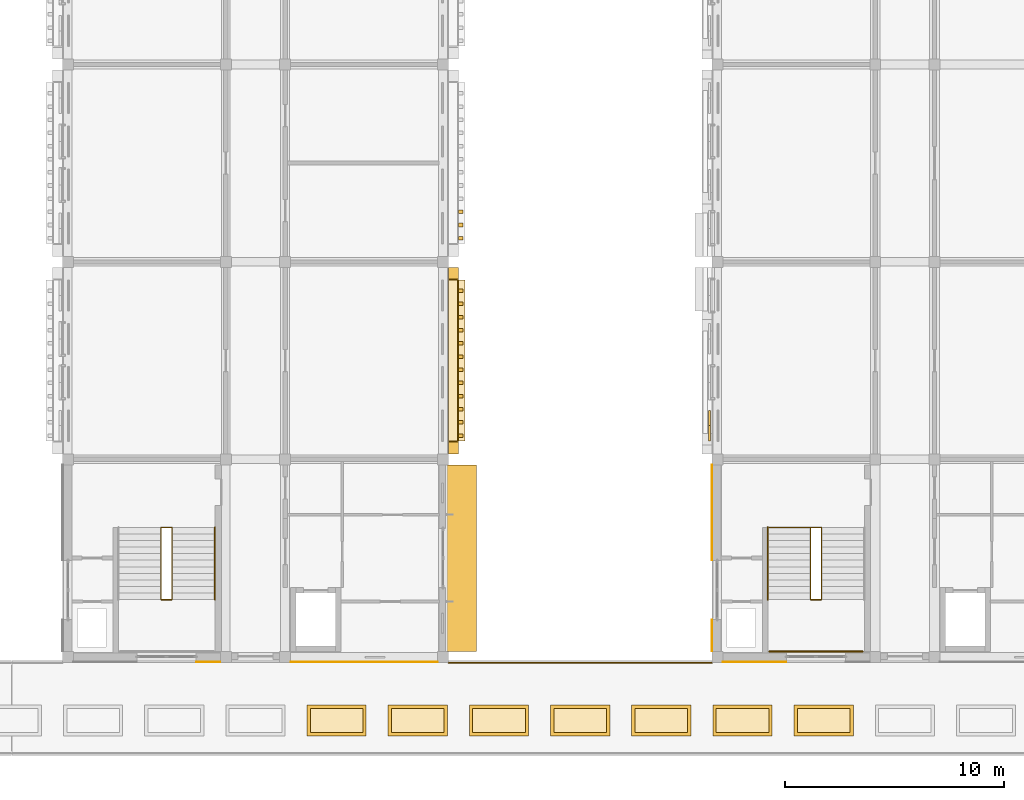
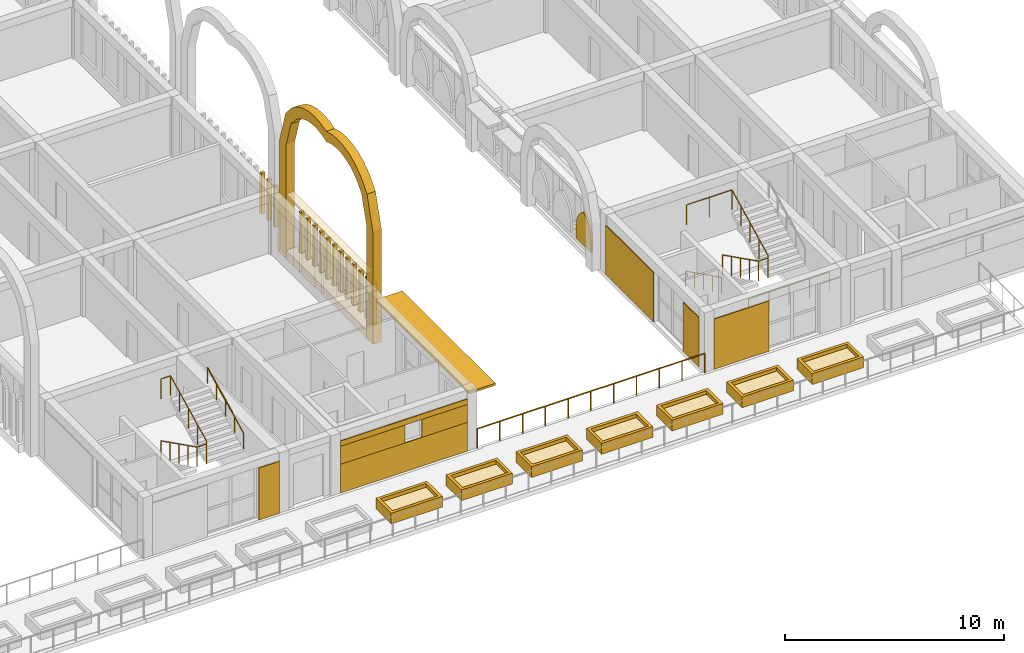
# One storey, part 79 of 82: 40 coverings, 6 railings, 2 shading devices.
"""IFC4 building model written with IfcOpenShell, lengths in metres."""

from ifc_helpers import new_model, si_unit, direction, frame, origin, origin_2d, place, context, subcontext, project, spatial, polyline, rectangle, circle, outline, extrude, material, layer, layer_set, type_object, element, save


model = new_model("IFC4")

# Units and contexts
model_context = context("Model", 3, precision=1e-05, world=origin(), true_north=direction((0.0, 1.0)))
body_context = subcontext(model_context, "Body", "Model", "MODEL_VIEW")
ifc_project = project(units=[si_unit("LENGTHUNIT", "METRE"), si_unit("AREAUNIT", "SQUARE_METRE"), si_unit("VOLUMEUNIT", "CUBIC_METRE"), si_unit("PLANEANGLEUNIT", "RADIAN"), si_unit("MASSUNIT", "GRAM", prefix="KILO")], contexts=[model_context])

# Site, building, storey
site_placement = place(None, origin())
site = spatial("IfcSite", under=ifc_project, at=site_placement, CompositionType="ELEMENT")
building_placement = place(site_placement, origin())
building = spatial("IfcBuilding", under=site, at=building_placement, Name="Elbe Cascade School", CompositionType="ELEMENT")
storey_placement = place(building_placement, frame((0.0, 0.0, 4.5)))
storey = spatial("IfcBuildingStorey", under=building, at=storey_placement, Name="L01", CompositionType="ELEMENT", Elevation=4.5)

# Railings
ifc_material_1 = material(Name="Steel S355J2H, painted", Category="steel")
railing_type_1 = type_object("IfcRailingType", Name="Bar stair guard 1100", PredefinedType="GUARDRAIL", material=ifc_material_1)
railing_1_placement = place(storey_placement, frame((132.449951171875, 11.89990234375, 0.14990234375)))
element("IfcRailing", 1, at=railing_1_placement, inside=storey, type_object=railing_type_1, Name="Stair guard C1.S", PredefinedType="GUARDRAIL", context=body_context, shape_type="SweptSolid", body=[
    extrude(circle(Radius=0.02392578125, at=origin_2d()), frame((0.0, 0.0, 1.09619140625), z_axis=(0.0, -0.894400720042, 0.447266533499), x_axis=(1.0, 0.0, 0.0)), (0.0, 0.0, 1.0), 3.689453125),
    extrude(circle(Radius=0.02392578125, at=origin_2d()), frame((0.0, -3.2998046875, 2.74609375), z_axis=(1.0, 0.0, 0.0), x_axis=(0.0, 1.0, 0.0)), (0.0, 0.0, 1.0), 0.5),
    extrude(circle(Radius=0.02392578125, at=origin_2d()), frame((0.5, -3.2998046875, 2.74609375), z_axis=(0.0, 0.0, 1.0), x_axis=(1.0, 0.0, 0.0)), (0.0, 0.0, 1.0), 0.14990234375),
    extrude(circle(Radius=0.02392578125, at=origin_2d()), frame((0.5, -3.2998046875, 2.89599609375), z_axis=(0.0, 0.894400720042, 0.447266533499), x_axis=(-1.0, 0.0, 0.0)), (0.0, 0.0, 1.0), 3.689453125),
    extrude(circle(Radius=0.02392578125, at=origin_2d()), frame((0.5, 0.0, 4.54638671875), z_axis=(-1.0, 0.0, 0.0), x_axis=(0.0, -1.0, 0.0)), (0.0, 0.0, 1.0), 0.5),
    extrude(circle(Radius=0.02099609375, at=origin_2d()), origin(), (0.0, 0.0, 1.0), 1.072021484375),
    extrude(circle(Radius=0.02099609375, at=origin_2d()), frame((0.0, -0.824951171875, 0.41259765625)), (0.0, 0.0, 1.0), 1.072021484375),
    extrude(circle(Radius=0.02099609375, at=origin_2d()), frame((0.0, -1.64990234375, 0.8251953125)), (0.0, 0.0, 1.0), 1.072021484375),
    extrude(circle(Radius=0.02099609375, at=origin_2d()), frame((0.0, -2.474853515625, 1.237548828125)), (0.0, 0.0, 1.0), 1.072021484375),
    extrude(circle(Radius=0.02099609375, at=origin_2d()), frame((0.0, -3.2998046875, 1.650146484375)), (0.0, 0.0, 1.0), 1.072021484375),
    extrude(circle(Radius=0.02099609375, at=origin_2d()), frame((0.5, -3.2998046875, 1.650146484375)), (0.0, 0.0, 1.0), 1.072021484375),
    extrude(circle(Radius=0.02099609375, at=origin_2d()), frame((0.5, -3.2998046875, 1.800048828125)), (0.0, 0.0, 1.0), 1.072021484375),
    extrude(circle(Radius=0.02099609375, at=origin_2d()), frame((0.5, -2.474853515625, 2.212646484375)), (0.0, 0.0, 1.0), 1.072021484375),
    extrude(circle(Radius=0.02099609375, at=origin_2d()), frame((0.5, -1.64990234375, 2.625)), (0.0, 0.0, 1.0), 1.072021484375),
    extrude(circle(Radius=0.02099609375, at=origin_2d()), frame((0.5, -0.824951171875, 3.03759765625)), (0.0, 0.0, 1.0), 1.072021484375),
    extrude(circle(Radius=0.02099609375, at=origin_2d()), frame((0.5, 0.0, 3.4501953125)), (0.0, 0.0, 1.0), 1.072021484375),
    extrude(circle(Radius=0.02099609375, at=origin_2d()), frame((0.0, 0.0, 3.4501953125)), (0.0, 0.0, 1.0), 1.072021484375),
])
railing_2_placement = place(storey_placement, frame((162.050048828125, 11.89990234375, 0.14990234375)))
element("IfcRailing", 2, at=railing_2_placement, inside=storey, type_object=railing_type_1, Name="Stair guard D1.S", PredefinedType="GUARDRAIL", context=body_context, shape_type="SweptSolid", body=[
    extrude(circle(Radius=0.02392578125, at=origin_2d()), frame((0.0, 0.0, 1.09619140625), z_axis=(0.0, -0.894400720042, 0.447266533499), x_axis=(1.0, 0.0, 0.0)), (0.0, 0.0, 1.0), 3.689453125),
    extrude(circle(Radius=0.02392578125, at=origin_2d()), frame((0.0, -3.2998046875, 2.74609375), z_axis=(1.0, 0.0, 0.0), x_axis=(0.0, 1.0, 0.0)), (0.0, 0.0, 1.0), 0.5),
    extrude(circle(Radius=0.02392578125, at=origin_2d()), frame((0.5, -3.2998046875, 2.74609375), z_axis=(0.0, 0.0, 1.0), x_axis=(1.0, 0.0, 0.0)), (0.0, 0.0, 1.0), 0.14990234375),
    extrude(circle(Radius=0.02392578125, at=origin_2d()), frame((0.5, -3.2998046875, 2.89599609375), z_axis=(0.0, 0.894400720042, 0.447266533499), x_axis=(-1.0, 0.0, 0.0)), (0.0, 0.0, 1.0), 3.689453125),
    extrude(circle(Radius=0.02392578125, at=origin_2d()), frame((0.5, 0.0, 4.54638671875), z_axis=(-1.0, 0.0, 0.0), x_axis=(0.0, -1.0, 0.0)), (0.0, 0.0, 1.0), 2.39013671875),
    extrude(circle(Radius=0.02099609375, at=origin_2d()), origin(), (0.0, 0.0, 1.0), 1.072021484375),
    extrude(circle(Radius=0.02099609375, at=origin_2d()), frame((0.0, -0.824951171875, 0.41259765625)), (0.0, 0.0, 1.0), 1.072021484375),
    extrude(circle(Radius=0.02099609375, at=origin_2d()), frame((0.0, -1.64990234375, 0.8251953125)), (0.0, 0.0, 1.0), 1.072021484375),
    extrude(circle(Radius=0.02099609375, at=origin_2d()), frame((0.0, -2.474853515625, 1.237548828125)), (0.0, 0.0, 1.0), 1.072021484375),
    extrude(circle(Radius=0.02099609375, at=origin_2d()), frame((0.0, -3.2998046875, 1.650146484375)), (0.0, 0.0, 1.0), 1.072021484375),
    extrude(circle(Radius=0.02099609375, at=origin_2d()), frame((0.5, -3.2998046875, 1.650146484375)), (0.0, 0.0, 1.0), 1.072021484375),
    extrude(circle(Radius=0.02099609375, at=origin_2d()), frame((0.5, -3.2998046875, 1.800048828125)), (0.0, 0.0, 1.0), 1.072021484375),
    extrude(circle(Radius=0.02099609375, at=origin_2d()), frame((0.5, -2.474853515625, 2.212646484375)), (0.0, 0.0, 1.0), 1.072021484375),
    extrude(circle(Radius=0.02099609375, at=origin_2d()), frame((0.5, -1.64990234375, 2.625)), (0.0, 0.0, 1.0), 1.072021484375),
    extrude(circle(Radius=0.02099609375, at=origin_2d()), frame((0.5, -0.824951171875, 3.03759765625)), (0.0, 0.0, 1.0), 1.072021484375),
    extrude(circle(Radius=0.02099609375, at=origin_2d()), frame((0.5, 0.0, 3.4501953125)), (0.0, 0.0, 1.0), 1.072021484375),
    extrude(circle(Radius=0.02099609375, at=origin_2d()), frame((-0.695068359375, 0.0, 3.4501953125)), (0.0, 0.0, 1.0), 1.072021484375),
    extrude(circle(Radius=0.02099609375, at=origin_2d()), frame((-1.89013671875, 0.0, 3.4501953125)), (0.0, 0.0, 1.0), 1.072021484375),
])
railing_3_placement = place(storey_placement, frame((160.159912109375, 6.239990234375, 1.800048828125)))
element("IfcRailing", 3, at=railing_3_placement, inside=storey, type_object=railing_type_1, Name="Stair guard D1.S", PredefinedType="GUARDRAIL", context=body_context, shape_type="SweptSolid", body=[
    extrude(circle(Radius=0.02392578125, at=origin_2d()), frame((0.0, 0.0, 1.09619140625), z_axis=(1.0, 0.0, 0.0), x_axis=(0.0, 1.0, 0.0)), (0.0, 0.0, 1.0), 4.280029296875),
    extrude(circle(Radius=0.02099609375, at=origin_2d()), origin(), (0.0, 0.0, 1.0), 1.072021484375),
    extrude(circle(Radius=0.02099609375, at=origin_2d()), frame((1.070068359375, 0.0, 0.0)), (0.0, 0.0, 1.0), 1.072021484375),
    extrude(circle(Radius=0.02099609375, at=origin_2d()), frame((2.14013671875, 0.0, 0.0)), (0.0, 0.0, 1.0), 1.072021484375),
    extrude(circle(Radius=0.02099609375, at=origin_2d()), frame((3.2099609375, 0.0, 0.0)), (0.0, 0.0, 1.0), 1.072021484375),
    extrude(circle(Radius=0.02099609375, at=origin_2d()), frame((4.280029296875, 0.0, 0.0)), (0.0, 0.0, 1.0), 1.072021484375),
])
ifc_material_2 = material(Name="Steel S355J2H, painted", Category="steel")
railing_type_2 = type_object("IfcRailingType", Name="Bar stair handrail 900", PredefinedType="HANDRAIL", material=ifc_material_2)
railing_4_placement = place(storey_placement, frame((134.89990234375, 8.60009765625, 1.949951171875)))
element("IfcRailing", 4, at=railing_4_placement, inside=storey, type_object=railing_type_2, Name="Stair handrail C1.S", PredefinedType="HANDRAIL", context=body_context, shape_type="SweptSolid", body=[
    extrude(circle(Radius=0.02392578125, at=origin_2d()), frame((0.0, 0.0, 0.8759765625), z_axis=(0.0, 0.894400720042, 0.447266533499), x_axis=(-1.0, 0.0, 0.0)), (0.0, 0.0, 1.0), 3.689453125),
    extrude(circle(Radius=0.02099609375, at=origin_2d()), origin(), (0.0, 0.0, 1.0), 0.851806640625),
    extrude(circle(Radius=0.02099609375, at=origin_2d()), frame((0.0, 0.824951171875, 0.41259765625)), (0.0, 0.0, 1.0), 0.851806640625),
    extrude(circle(Radius=0.02099609375, at=origin_2d()), frame((0.0, 1.64990234375, 0.8251953125)), (0.0, 0.0, 1.0), 0.851806640625),
    extrude(circle(Radius=0.02099609375, at=origin_2d()), frame((0.0, 2.474853515625, 1.237548828125)), (0.0, 0.0, 1.0), 0.851806640625),
    extrude(circle(Radius=0.02099609375, at=origin_2d()), frame((0.0, 3.2998046875, 1.650146484375)), (0.0, 0.0, 1.0), 0.851806640625),
])
railing_5_placement = place(storey_placement, frame((160.10009765625, 11.89990234375, 0.14990234375)))
element("IfcRailing", 5, at=railing_5_placement, inside=storey, type_object=railing_type_2, Name="Stair handrail D1.S", PredefinedType="HANDRAIL", context=body_context, shape_type="SweptSolid", body=[
    extrude(circle(Radius=0.02392578125, at=origin_2d()), frame((0.0, 0.0, 0.8759765625), z_axis=(0.0, -0.894400720042, 0.447266533499), x_axis=(1.0, 0.0, 0.0)), (0.0, 0.0, 1.0), 3.689453125),
    extrude(circle(Radius=0.02099609375, at=origin_2d()), origin(), (0.0, 0.0, 1.0), 0.851806640625),
    extrude(circle(Radius=0.02099609375, at=origin_2d()), frame((0.0, -0.824951171875, 0.41259765625)), (0.0, 0.0, 1.0), 0.851806640625),
    extrude(circle(Radius=0.02099609375, at=origin_2d()), frame((0.0, -1.64990234375, 0.8251953125)), (0.0, 0.0, 1.0), 0.851806640625),
    extrude(circle(Radius=0.02099609375, at=origin_2d()), frame((0.0, -2.474853515625, 1.237548828125)), (0.0, 0.0, 1.0), 0.851806640625),
    extrude(circle(Radius=0.02099609375, at=origin_2d()), frame((0.0, -3.2998046875, 1.650146484375)), (0.0, 0.0, 1.0), 0.851806640625),
])

# Shading devices
ifc_material_3 = material(Name="Precast concrete C30/37", Category="concrete")
ifc_layer_1 = layer(ifc_material_3, 0.1201171875)
ifc_layer_set_1 = layer_set([ifc_layer_1], Name="Precast concrete C30/37")
shading_device_type_1 = type_object("IfcShadingDeviceType", Name="Bars envelope Chhajja eave, precast concrete, 1400 x 120", PredefinedType="USERDEFINED", material=ifc_layer_set_1)
shading_device_1_placement = place(storey_placement, frame((146.1201171875, 10.5, 2.72998046875), z_axis=(0.0, 0.0, 1.0), x_axis=(0.0, 1.0, 0.0)))
element("IfcShadingDevice", 6, at=shading_device_1_placement, inside=storey, type_object=shading_device_type_1, Name="Chhajja eave SD8 C.L01.e1", ObjectType="CHHAJJA", PredefinedType="USERDEFINED", context=body_context, shape_type="SweptSolid", body=[
    extrude(rectangle(XDim=8.5, YDim=1.39990234375, at=origin_2d()), origin(), (0.0, 0.0, 1.0), 0.1201171875),
])
ifc_material_4 = material(Name="Precast concrete C40/50", Category="concrete")
ifc_layer_2 = layer(ifc_material_4, 0.10009765625)
ifc_layer_set_2 = layer_set([ifc_layer_2], Name="Precast concrete C40/50")
shading_device_type_2 = type_object("IfcShadingDeviceType", Name="Bars envelope Jali screen 1400 x 1840, pointed arch rise 1200, pierced precast concrete", PredefinedType="USERDEFINED", material=ifc_layer_set_2)
shading_device_2_placement = place(storey_placement, frame((157.39990234375, 15.830078125, 1.239990234375), z_axis=(-1.0, 0.0, 0.0), x_axis=(0.0, 0.17792317593, 0.984044380842)))
element("IfcShadingDevice", 7, at=shading_device_2_placement, inside=storey, type_object=shading_device_type_2, Name="Jali screen SD6 D.L01.w2.1", ObjectType="JALI", PredefinedType="USERDEFINED", context=body_context, shape_type="SweptSolid", body=[
    extrude(outline(polyline([(0.0, 0.0), (0.49123641871346896, 0.0), (0.6924968687559299, 0.05242999837586913), (0.8431090177286255, 0.11426571806572286), (0.9655690388364628, 0.18094347076411482), (1.0690931266165173, 0.25129309242718334), (1.1586395539315395, 0.3239218888517511), (1.2366542111585679, 0.39863572249424895), (1.305342743464475, 0.47528389408648153), (1.2677994546013998, 0.5708915381836547), (1.2209300408172035, 0.6684335202305626), (1.1624854186696398, 0.7678202942852341), (1.090106574332417, 0.8697264883115714), (0.9987917966674117, 0.9753045513025852), (0.879324891137548, 1.0857246473021371), (0.7092096845379191, 1.2055504646156736), (0.24907507099190854, 1.377566035094913), (-0.38060762485458033, 1.491417754848975), (-0.6296826958464888, 0.11385171975406214), (0.0, 0.0)])), origin(), (0.0, 0.0, -1.0), 0.10009765625),
])

# Coverings
ifc_material_5 = material(Name="Sandstone - red", Category="masonry")
covering_type_1 = type_object("IfcCoveringType", Name="Bars envelope Sandstone arch frame single, 8500 wide, 450 deep", PredefinedType="CLADDING", material=ifc_material_5)
covering_1_placement = place(storey_placement, frame((146.0, 15.830078125, 0.0), z_axis=(1.0, 0.0, 0.0), x_axis=(0.0, 0.0, 1.0)))
element("IfcCovering", 8, at=covering_1_placement, inside=storey, type_object=covering_type_1, Name="Arch frame CV52 C.L01.e2", PredefinedType="CLADDING", context=body_context, shape_type="SweptSolid", body=[
    extrude(outline(polyline([(0.0, 0.0), (6.300048828125, 0.0), (7.784912109375, -0.458740234375), (8.29736328125, -0.91748046875), (8.613525390625, -1.376220703125), (8.80908203125, -1.8349609375), (8.910888671875, -2.293701171875), (8.93017578125, -2.75244140625), (8.86865234375, -3.211181640625), (8.719970703125, -3.669921875), (8.86865234375, -4.128662109375), (8.93017578125, -4.58740234375), (8.910888671875, -5.046142578125), (8.80908203125, -5.5048828125), (8.613525390625, -5.963623046875), (8.29736328125, -6.42236328125), (7.784912109375, -6.881103515625), (6.300048828125, -7.33984375), (0.0, -7.33984375), (0.0, -7.919921875), (6.300048828125, -7.919921875), (8.060791015625, -7.388671875), (8.67431640625, -6.857421875), (9.058349609375, -6.326171875), (9.302490234375, -5.794921875), (9.439697265625, -5.263671875), (9.48388671875, -4.732421875), (9.438720703125, -4.201171875), (9.300048828125, -3.669921875), (9.438720703125, -3.138671875), (9.48388671875, -2.607421875), (9.439697265625, -2.076171875), (9.302490234375, -1.544921875), (9.058349609375, -1.013671875), (8.67431640625, -0.482421875), (8.060791015625, 0.048828125), (6.300048828125, 0.580078125), (0.0, 0.580078125), (0.0, 0.0)])), origin(), (0.0, 0.0, -1.0), 0.449951171875),
])
ifc_material_6 = material(Name="Sandstone - red", Category="masonry")
ifc_layer_3 = layer(ifc_material_6, 0.0400390625)
ifc_layer_set_3 = layer_set([ifc_layer_3], Name="Sandstone - red")
covering_type_2 = type_object("IfcCoveringType", Name="Bars envelope Sandstone cladding, red, 40 mm", PredefinedType="CLADDING", material=ifc_layer_set_3)
covering_2_placement = place(storey_placement, frame((134.60009765625, 5.760009765625, 0.0), z_axis=(0.0, 0.0, 1.0), x_axis=(1.0, 0.0, 0.0)))
element("IfcCovering", 9, at=covering_2_placement, inside=storey, type_object=covering_type_2, Name="Sandstone cladding CV48 C.L01.s.1b.1", PredefinedType="CLADDING", context=body_context, shape_type="SweptSolid", body=[
    extrude(rectangle(XDim=1.10009765625, YDim=0.0400390625, at=origin_2d()), origin(), (0.0, 0.0, 1.0), 2.89990234375),
])
covering_3_placement = place(storey_placement, frame((141.699951171875, 5.760009765625, 0.0), z_axis=(0.0, 0.0, 1.0), x_axis=(1.0, 0.0, 0.0)))
element("IfcCovering", 10, at=covering_3_placement, inside=storey, type_object=covering_type_2, Name="Sandstone cladding CV48 C.L01.s.3.1", PredefinedType="CLADDING", context=body_context, shape_type="SweptSolid", body=[
    extrude(rectangle(XDim=6.699951171875, YDim=0.0400390625, at=origin_2d()), origin(), (0.0, 0.0, 1.0), 1.60009765625),
])
covering_4_placement = place(storey_placement, frame((140.050048828125, 5.760009765625, 1.60009765625), z_axis=(0.0, 0.0, 1.0), x_axis=(1.0, 0.0, 0.0)))
element("IfcCovering", 11, at=covering_4_placement, inside=storey, type_object=covering_type_2, Name="Sandstone cladding CV48 C.L01.s.3.2", PredefinedType="CLADDING", context=body_context, shape_type="SweptSolid", body=[
    extrude(rectangle(XDim=3.39990234375, YDim=0.0400390625, at=origin_2d()), origin(), (0.0, 0.0, 1.0), 1.0),
])
covering_5_placement = place(storey_placement, frame((143.85009765625, 5.760009765625, 1.60009765625), z_axis=(0.0, 0.0, 1.0), x_axis=(1.0, 0.0, 0.0)))
element("IfcCovering", 12, at=covering_5_placement, inside=storey, type_object=covering_type_2, Name="Sandstone cladding CV48 C.L01.s.3.3", PredefinedType="CLADDING", context=body_context, shape_type="SweptSolid", body=[
    extrude(rectangle(XDim=2.39990234375, YDim=0.0400390625, at=origin_2d()), origin(), (0.0, 0.0, 1.0), 1.0),
])
covering_6_placement = place(storey_placement, frame((141.699951171875, 5.760009765625, 2.60009765625), z_axis=(0.0, 0.0, 1.0), x_axis=(1.0, 0.0, 0.0)))
element("IfcCovering", 13, at=covering_6_placement, inside=storey, type_object=covering_type_2, Name="Sandstone cladding CV48 C.L01.s.3.4", PredefinedType="CLADDING", context=body_context, shape_type="SweptSolid", body=[
    extrude(rectangle(XDim=6.699951171875, YDim=0.0400390625, at=origin_2d()), origin(), (0.0, 0.0, 1.0), 0.300048828125),
])
covering_7_placement = place(storey_placement, frame((157.56005859375, 6.969970703125, 0.0), z_axis=(0.0, 0.0, 1.0), x_axis=(0.0, 1.0, 0.0)))
element("IfcCovering", 14, at=covering_7_placement, inside=storey, type_object=covering_type_2, Name="Sandstone cladding CV48 D.L01.w.1a.1", PredefinedType="CLADDING", context=body_context, shape_type="SweptSolid", body=[
    extrude(rectangle(XDim=1.43994140625, YDim=0.0400390625, at=origin_2d()), origin(), (0.0, 0.0, 1.0), 2.75),
])
covering_8_placement = place(storey_placement, frame((157.56005859375, 12.570068359375, 0.0), z_axis=(0.0, 0.0, 1.0), x_axis=(0.0, 1.0, 0.0)))
element("IfcCovering", 15, at=covering_8_placement, inside=storey, type_object=covering_type_2, Name="Sandstone cladding CV48 D.L01.w.1b.1", PredefinedType="CLADDING", context=body_context, shape_type="SweptSolid", body=[
    extrude(rectangle(XDim=4.360107421875, YDim=0.0400390625, at=origin_2d()), origin(), (0.0, 0.0, 1.0), 2.75),
])
covering_9_placement = place(storey_placement, frame((159.5, 5.760009765625, 0.0), z_axis=(0.0, 0.0, 1.0), x_axis=(1.0, 0.0, 0.0)))
element("IfcCovering", 16, at=covering_9_placement, inside=storey, type_object=covering_type_2, Name="Sandstone cladding CV48 D.L01.s.1a.1", PredefinedType="CLADDING", context=body_context, shape_type="SweptSolid", body=[
    extrude(rectangle(XDim=2.89990234375, YDim=0.0400390625, at=origin_2d()), origin(), (0.0, 0.0, 1.0), 2.800048828125),
])
ifc_material_7 = material(Name="Sandstone - red", Category="masonry")
covering_type_3 = type_object("IfcCoveringType", Name="Bars envelope Sandstone floor ledge, 400 deep", PredefinedType="CLADDING", material=ifc_material_7)
covering_10_placement = place(storey_placement, frame((145.75, 19.5, 3.4599609375), z_axis=(0.0, 0.0, 1.0), x_axis=(0.0, 1.0, 0.0)))
element("IfcCovering", 17, at=covering_10_placement, inside=storey, type_object=covering_type_3, Name="Floor ledge CV64 C.L01.e1.1", PredefinedType="CLADDING", context=body_context, shape_type="SweptSolid", body=[
    extrude(rectangle(XDim=7.340087890625, YDim=0.39990234375, at=origin_2d()), origin(), (0.0, 0.0, 1.0), 0.139892578125),
])
ifc_material_8 = material(Name="Sandstone - red", Category="masonry")
covering_type_4 = type_object("IfcCoveringType", Name="Bars envelope Sandstone planter kerb, 750 deep", PredefinedType="CLADDING", material=ifc_material_8)
covering_11_placement = place(storey_placement, frame((145.925048828125, 19.5, 0.0), z_axis=(0.0, 0.0, 1.0), x_axis=(0.0, 1.0, 0.0)))
element("IfcCovering", 18, at=covering_11_placement, inside=storey, type_object=covering_type_4, Name="Planter kerb CV65 C.L01.e1.1", PredefinedType="CLADDING", context=body_context, shape_type="SweptSolid", body=[
    extrude(rectangle(XDim=7.340087890625, YDim=0.75, at=origin_2d()), origin(), (0.0, 0.0, 1.0), 0.449951171875),
])
ifc_material_9 = material(Name="Sandstone - red", Category="masonry")
covering_type_5 = type_object("IfcCoveringType", Name="Bars envelope Sandstone slat, 160 wide, 200 deep", PredefinedType="CLADDING", material=ifc_material_9)
for number, where, z_axis, x_axis, name in (
    (19, (146.10009765625, 16.080078125, 0.4501953125), (0.0, 0.0, 1.0), (0.0, 1.0, 0.0), "Slat CV66 C.L01.e1.1.1"),
    (20, (146.10009765625, 16.679931640625, 0.4501953125), (0.0, 0.0, 1.0), (0.0, 1.0, 0.0), "Slat CV66 C.L01.e1.1.2"),
    (21, (146.10009765625, 17.280029296875, 0.4501953125), (0.0, 0.0, 1.0), (0.0, 1.0, 0.0), "Slat CV66 C.L01.e1.1.3"),
    (22, (146.10009765625, 17.8798828125, 0.4501953125), (0.0, 0.0, 1.0), (0.0, 1.0, 0.0), "Slat CV66 C.L01.e1.1.4"),
    (23, (146.10009765625, 18.47998046875, 0.4501953125), (0.0, 0.0, 1.0), (0.0, 1.0, 0.0), "Slat CV66 C.L01.e1.1.5"),
    (24, (146.10009765625, 19.080078125, 0.4501953125), (0.0, 0.0, 1.0), (0.0, 1.0, 0.0), "Slat CV66 C.L01.e1.1.6"),
    (25, (146.10009765625, 19.679931640625, 0.4501953125), (0.0, 0.0, 1.0), (0.0, 1.0, 0.0), "Slat CV66 C.L01.e1.1.7"),
    (26, (146.10009765625, 20.280029296875, 0.4501953125), (0.0, 0.0, 1.0), (0.0, 1.0, 0.0), "Slat CV66 C.L01.e1.1.8"),
    (27, (146.10009765625, 20.8798828125, 0.4501953125), (0.0, 0.0, 1.0), (0.0, 1.0, 0.0), "Slat CV66 C.L01.e1.1.9"),
    (28, (146.10009765625, 21.47998046875, 0.4501953125), (0.0, 0.0, 1.0), (0.0, 1.0, 0.0), "Slat CV66 C.L01.e1.1.10"),
    (29, (146.10009765625, 22.080078125, 0.4501953125), (0.0, 0.0, 1.0), (0.0, 1.0, 0.0), "Slat CV66 C.L01.e1.1.11"),
    (30, (146.10009765625, 22.679931640625, 0.4501953125), (0.0, 0.0, 1.0), (0.0, 1.0, 0.0), "Slat CV66 C.L01.e1.1.12"),
    (31, (146.10009765625, 25.080078125, 0.4501953125), (0.0, 0.0, 1.0), (0.0, 1.0, 0.0), "Slat CV66 C.L01.e2.1.1"),
    (32, (146.10009765625, 25.679931640625, 0.4501953125), (0.0, 0.0, 1.0), (0.0, 1.0, 0.0), "Slat CV66 C.L01.e2.1.2"),
    (33, (146.10009765625, 26.280029296875, 0.4501953125), (0.0, 0.0, 1.0), (0.0, 1.0, 0.0), "Slat CV66 C.L01.e2.1.3"),
):
    element("IfcCovering", number, at=place(storey_placement, frame(where, z_axis=z_axis, x_axis=x_axis)), inside=storey, type_object=covering_type_5, Name=name, PredefinedType="CLADDING", context=body_context, shape_type="SweptSolid", body=[
        extrude(rectangle(XDim=0.159912109375, YDim=0.199951171875, at=origin_2d()), origin(), (0.0, 0.0, 1.0), 2.280029296875),
    ])

# Railing
ifc_material_10 = material(Name="Steel S355J2H", Category="steel")
railing_type_3 = type_object("IfcRailingType", Name="Quay and steps guard 1100", PredefinedType="GUARDRAIL", material=ifc_material_10)
railing_6_placement = place(storey_placement, frame((145.550048828125, 5.719970703125, 0.0)))
element("IfcRailing", 34, at=railing_6_placement, inside=storey, type_object=railing_type_3, Name="Colonnade roof guard 7", PredefinedType="GUARDRAIL", context=body_context, shape_type="SweptSolid", body=[
    extrude(circle(Radius=0.02392578125, at=origin_2d()), frame((0.0, 0.0, 1.076171875), z_axis=(1.0, 0.0, 0.0), x_axis=(0.0, 1.0, 0.0)), (0.0, 0.0, 1.0), 12.0),
    extrude(circle(Radius=0.02099609375, at=origin_2d()), origin(), (0.0, 0.0, 1.0), 1.052001953125),
    extrude(circle(Radius=0.02099609375, at=origin_2d()), frame((1.199951171875, 0.0, 0.0)), (0.0, 0.0, 1.0), 1.052001953125),
    extrude(circle(Radius=0.02099609375, at=origin_2d()), frame((2.39990234375, 0.0, 0.0)), (0.0, 0.0, 1.0), 1.052001953125),
    extrude(circle(Radius=0.02099609375, at=origin_2d()), frame((3.60009765625, 0.0, 0.0)), (0.0, 0.0, 1.0), 1.052001953125),
    extrude(circle(Radius=0.02099609375, at=origin_2d()), frame((4.800048828125, 0.0, 0.0)), (0.0, 0.0, 1.0), 1.052001953125),
    extrude(circle(Radius=0.02099609375, at=origin_2d()), frame((6.0, 0.0, 0.0)), (0.0, 0.0, 1.0), 1.052001953125),
    extrude(circle(Radius=0.02099609375, at=origin_2d()), frame((7.199951171875, 0.0, 0.0)), (0.0, 0.0, 1.0), 1.052001953125),
    extrude(circle(Radius=0.02099609375, at=origin_2d()), frame((8.39990234375, 0.0, 0.0)), (0.0, 0.0, 1.0), 1.052001953125),
    extrude(circle(Radius=0.02099609375, at=origin_2d()), frame((9.60009765625, 0.0, 0.0)), (0.0, 0.0, 1.0), 1.052001953125),
    extrude(circle(Radius=0.02099609375, at=origin_2d()), frame((10.800048828125, 0.0, 0.0)), (0.0, 0.0, 1.0), 1.052001953125),
    extrude(circle(Radius=0.02099609375, at=origin_2d()), frame((12.0, 0.0, 0.0)), (0.0, 0.0, 1.0), 1.052001953125),
])

# Coverings
ifc_material_11 = material(Name="Planting - soil and shrubs", Category="soil")
ifc_layer_4 = layer(ifc_material_11, 0.39990234375)
ifc_layer_set_4 = layer_set([ifc_layer_4], Name="Planting - soil and shrubs")
covering_type_6 = type_object("IfcCoveringType", Name="Site planting bed 400", PredefinedType="USERDEFINED", material=ifc_layer_set_4)
covering_12_placement = place(storey_placement, frame((0.0, 0.0, 0.0400390625)))
element("IfcCovering", 35, at=covering_12_placement, inside=storey, type_object=covering_type_6, Name="Colonnade roof planting bed 33", ObjectType="PLANTING BED", PredefinedType="USERDEFINED", context=body_context, shape_type="SweptSolid", body=[
    extrude(outline(polyline([(139.25, 2.550048828125), (141.64990234375, 2.550048828125), (141.64990234375, 3.64990234375), (139.25, 3.64990234375), (139.25, 2.550048828125)])), origin(), (0.0, 0.0, 1.0), 0.39990234375),
])
covering_13_placement = place(storey_placement, frame((0.0, 0.0, 0.0400390625)))
element("IfcCovering", 36, at=covering_13_placement, inside=storey, type_object=covering_type_6, Name="Colonnade roof planting bed 34", ObjectType="PLANTING BED", PredefinedType="USERDEFINED", context=body_context, shape_type="SweptSolid", body=[
    extrude(outline(polyline([(142.949951171875, 2.550048828125), (145.35009765625, 2.550048828125), (145.35009765625, 3.64990234375), (142.949951171875, 3.64990234375), (142.949951171875, 2.550048828125)])), origin(), (0.0, 0.0, 1.0), 0.39990234375),
])
covering_14_placement = place(storey_placement, frame((0.0, 0.0, 0.0400390625)))
element("IfcCovering", 37, at=covering_14_placement, inside=storey, type_object=covering_type_6, Name="Colonnade roof planting bed 35", ObjectType="PLANTING BED", PredefinedType="USERDEFINED", context=body_context, shape_type="SweptSolid", body=[
    extrude(outline(polyline([(146.64990234375, 2.550048828125), (149.050048828125, 2.550048828125), (149.050048828125, 3.64990234375), (146.64990234375, 3.64990234375), (146.64990234375, 2.550048828125)])), origin(), (0.0, 0.0, 1.0), 0.39990234375),
])
covering_15_placement = place(storey_placement, frame((0.0, 0.0, 0.0400390625)))
element("IfcCovering", 38, at=covering_15_placement, inside=storey, type_object=covering_type_6, Name="Colonnade roof planting bed 36", ObjectType="PLANTING BED", PredefinedType="USERDEFINED", context=body_context, shape_type="SweptSolid", body=[
    extrude(outline(polyline([(150.35009765625, 2.550048828125), (152.75, 2.550048828125), (152.75, 3.64990234375), (150.35009765625, 3.64990234375), (150.35009765625, 2.550048828125)])), origin(), (0.0, 0.0, 1.0), 0.39990234375),
])
covering_16_placement = place(storey_placement, frame((0.0, 0.0, 0.0400390625)))
element("IfcCovering", 39, at=covering_16_placement, inside=storey, type_object=covering_type_6, Name="Colonnade roof planting bed 37", ObjectType="PLANTING BED", PredefinedType="USERDEFINED", context=body_context, shape_type="SweptSolid", body=[
    extrude(outline(polyline([(154.050048828125, 2.550048828125), (156.449951171875, 2.550048828125), (156.449951171875, 3.64990234375), (154.050048828125, 3.64990234375), (154.050048828125, 2.550048828125)])), origin(), (0.0, 0.0, 1.0), 0.39990234375),
])
covering_17_placement = place(storey_placement, frame((0.0, 0.0, 0.0400390625)))
element("IfcCovering", 40, at=covering_17_placement, inside=storey, type_object=covering_type_6, Name="Colonnade roof planting bed 38", ObjectType="PLANTING BED", PredefinedType="USERDEFINED", context=body_context, shape_type="SweptSolid", body=[
    extrude(outline(polyline([(157.75, 2.550048828125), (160.14990234375, 2.550048828125), (160.14990234375, 3.64990234375), (157.75, 3.64990234375), (157.75, 2.550048828125)])), origin(), (0.0, 0.0, 1.0), 0.39990234375),
])
covering_18_placement = place(storey_placement, frame((0.0, 0.0, 0.0400390625)))
element("IfcCovering", 41, at=covering_18_placement, inside=storey, type_object=covering_type_6, Name="Colonnade roof planting bed 39", ObjectType="PLANTING BED", PredefinedType="USERDEFINED", context=body_context, shape_type="SweptSolid", body=[
    extrude(outline(polyline([(161.449951171875, 2.550048828125), (163.85009765625, 2.550048828125), (163.85009765625, 3.64990234375), (161.449951171875, 3.64990234375), (161.449951171875, 2.550048828125)])), origin(), (0.0, 0.0, 1.0), 0.39990234375),
])
ifc_material_12 = material(Name="Concrete C30/37 precast kerb", Category="concrete")
ifc_layer_5 = layer(ifc_material_12, 0.14990234375)
ifc_layer_set_5 = layer_set([ifc_layer_5], Name="Concrete C30/37 precast kerb")
covering_type_7 = type_object("IfcCoveringType", Name="Site planting bed kerb 150x600", PredefinedType="CLADDING", material=ifc_layer_set_5)
covering_19_placement = place(storey_placement, frame((0.0, 0.0, 0.0400390625)))
element("IfcCovering", 42, at=covering_19_placement, inside=storey, type_object=covering_type_7, Name="Colonnade roof planting bed kerb 33", PredefinedType="CLADDING", context=body_context, shape_type="SweptSolid", body=[
    extrude(outline(polyline([(139.10009765625, 2.39990234375), (141.800048828125, 2.39990234375), (141.800048828125, 3.800048828125), (139.10009765625, 3.800048828125), (139.10009765625, 2.39990234375)]), holes=[polyline([(139.25, 2.550048828125), (141.64990234375, 2.550048828125), (141.64990234375, 3.64990234375), (139.25, 3.64990234375), (139.25, 2.550048828125)])]), origin(), (0.0, 0.0, 1.0), 0.599853515625),
])
covering_20_placement = place(storey_placement, frame((0.0, 0.0, 0.0400390625)))
element("IfcCovering", 43, at=covering_20_placement, inside=storey, type_object=covering_type_7, Name="Colonnade roof planting bed kerb 34", PredefinedType="CLADDING", context=body_context, shape_type="SweptSolid", body=[
    extrude(outline(polyline([(142.800048828125, 2.39990234375), (145.5, 2.39990234375), (145.5, 3.800048828125), (142.800048828125, 3.800048828125), (142.800048828125, 2.39990234375)]), holes=[polyline([(142.949951171875, 2.550048828125), (145.35009765625, 2.550048828125), (145.35009765625, 3.64990234375), (142.949951171875, 3.64990234375), (142.949951171875, 2.550048828125)])]), origin(), (0.0, 0.0, 1.0), 0.599853515625),
])
covering_21_placement = place(storey_placement, frame((0.0, 0.0, 0.0400390625)))
element("IfcCovering", 44, at=covering_21_placement, inside=storey, type_object=covering_type_7, Name="Colonnade roof planting bed kerb 35", PredefinedType="CLADDING", context=body_context, shape_type="SweptSolid", body=[
    extrude(outline(polyline([(146.5, 2.39990234375), (149.199951171875, 2.39990234375), (149.199951171875, 3.800048828125), (146.5, 3.800048828125), (146.5, 2.39990234375)]), holes=[polyline([(146.64990234375, 2.550048828125), (149.050048828125, 2.550048828125), (149.050048828125, 3.64990234375), (146.64990234375, 3.64990234375), (146.64990234375, 2.550048828125)])]), origin(), (0.0, 0.0, 1.0), 0.599853515625),
])
covering_22_placement = place(storey_placement, frame((0.0, 0.0, 0.0400390625)))
element("IfcCovering", 45, at=covering_22_placement, inside=storey, type_object=covering_type_7, Name="Colonnade roof planting bed kerb 36", PredefinedType="CLADDING", context=body_context, shape_type="SweptSolid", body=[
    extrude(outline(polyline([(150.199951171875, 2.39990234375), (152.89990234375, 2.39990234375), (152.89990234375, 3.800048828125), (150.199951171875, 3.800048828125), (150.199951171875, 2.39990234375)]), holes=[polyline([(150.35009765625, 2.550048828125), (152.75, 2.550048828125), (152.75, 3.64990234375), (150.35009765625, 3.64990234375), (150.35009765625, 2.550048828125)])]), origin(), (0.0, 0.0, 1.0), 0.599853515625),
])
covering_23_placement = place(storey_placement, frame((0.0, 0.0, 0.0400390625)))
element("IfcCovering", 46, at=covering_23_placement, inside=storey, type_object=covering_type_7, Name="Colonnade roof planting bed kerb 37", PredefinedType="CLADDING", context=body_context, shape_type="SweptSolid", body=[
    extrude(outline(polyline([(153.89990234375, 2.39990234375), (156.60009765625, 2.39990234375), (156.60009765625, 3.800048828125), (153.89990234375, 3.800048828125), (153.89990234375, 2.39990234375)]), holes=[polyline([(154.050048828125, 2.550048828125), (156.449951171875, 2.550048828125), (156.449951171875, 3.64990234375), (154.050048828125, 3.64990234375), (154.050048828125, 2.550048828125)])]), origin(), (0.0, 0.0, 1.0), 0.599853515625),
])
covering_24_placement = place(storey_placement, frame((0.0, 0.0, 0.0400390625)))
element("IfcCovering", 47, at=covering_24_placement, inside=storey, type_object=covering_type_7, Name="Colonnade roof planting bed kerb 38", PredefinedType="CLADDING", context=body_context, shape_type="SweptSolid", body=[
    extrude(outline(polyline([(157.60009765625, 2.39990234375), (160.300048828125, 2.39990234375), (160.300048828125, 3.800048828125), (157.60009765625, 3.800048828125), (157.60009765625, 2.39990234375)]), holes=[polyline([(157.75, 2.550048828125), (160.14990234375, 2.550048828125), (160.14990234375, 3.64990234375), (157.75, 3.64990234375), (157.75, 2.550048828125)])]), origin(), (0.0, 0.0, 1.0), 0.599853515625),
])
covering_25_placement = place(storey_placement, frame((0.0, 0.0, 0.0400390625)))
element("IfcCovering", 48, at=covering_25_placement, inside=storey, type_object=covering_type_7, Name="Colonnade roof planting bed kerb 39", PredefinedType="CLADDING", context=body_context, shape_type="SweptSolid", body=[
    extrude(outline(polyline([(161.300048828125, 2.39990234375), (164.0, 2.39990234375), (164.0, 3.800048828125), (161.300048828125, 3.800048828125), (161.300048828125, 2.39990234375)]), holes=[polyline([(161.449951171875, 2.550048828125), (163.85009765625, 2.550048828125), (163.85009765625, 3.64990234375), (161.449951171875, 3.64990234375), (161.449951171875, 2.550048828125)])]), origin(), (0.0, 0.0, 1.0), 0.599853515625),
])

save(model, "model.ifc")
